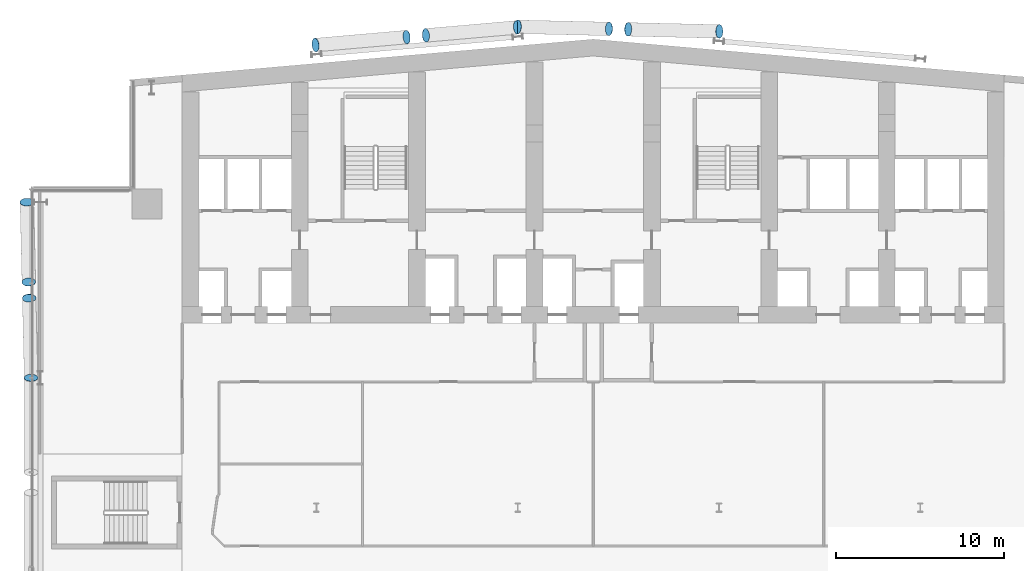
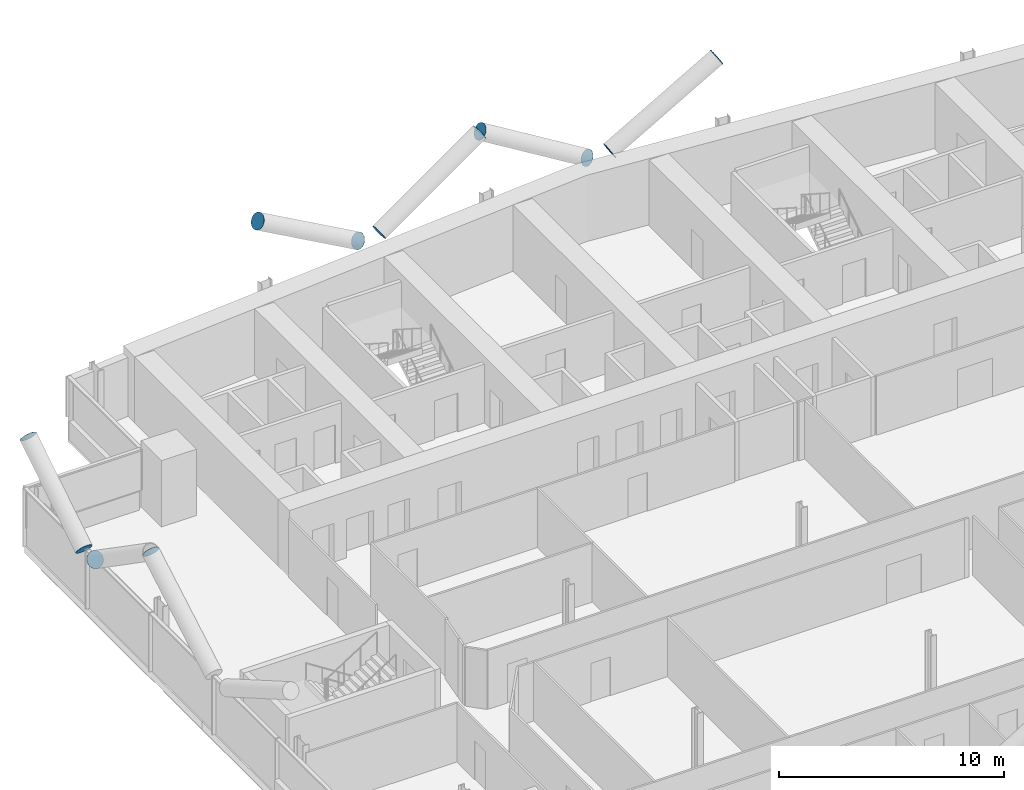
# One storey, part 23 of 28: 12 discrete accessories.
"""IFC4 building model written with IfcOpenShell, lengths in metres."""

from ifc_helpers import new_model, si_unit, direction, frame, origin, origin_2d, place, context, subcontext, project, spatial, circle, extrude, material, material_profile, profile_set, type_object, element, save


model = new_model("IFC4")

# Units and contexts
model_context = context("Model", 3, precision=1e-05, world=origin(), true_north=direction((0.0, 1.0)))
body_context = subcontext(model_context, "Body", "Model", "MODEL_VIEW")
ifc_project = project(units=[si_unit("LENGTHUNIT", "METRE"), si_unit("AREAUNIT", "SQUARE_METRE"), si_unit("VOLUMEUNIT", "CUBIC_METRE"), si_unit("PLANEANGLEUNIT", "RADIAN"), si_unit("MASSUNIT", "GRAM", prefix="KILO")], contexts=[model_context])

# Site, building, storey
site_placement = place(None, origin())
site = spatial("IfcSite", under=ifc_project, at=site_placement, CompositionType="ELEMENT")
building_placement = place(site_placement, origin())
building = spatial("IfcBuilding", under=site, at=building_placement, Name="Wharfspan Tower", CompositionType="ELEMENT")
storey_placement = place(building_placement, frame((0.0, 0.0, 132.699951)))
storey = spatial("IfcBuildingStorey", under=building, at=storey_placement, Name="L31", CompositionType="ELEMENT", Elevation=132.699951)

# Discrete accessories
ifc_material = material(Name="Steel S460NH", Category="steel")
ifc_material_profile = material_profile(ifc_material, circle(Radius=0.406494, at=origin_2d()))
ifc_profile_set = profile_set([ifc_material_profile], Name="Steel S460NH")
discrete_accessory_type = type_object("IfcDiscreteAccessoryType", Name="End plate CHS 813x40", PredefinedType="BRACKET", material=ifc_profile_set)
discrete_accessory_1_placement = place(storey_placement, frame((6.985107, 30.733398, 6.5), z_axis=(0.0, 0.857493, 0.514496), x_axis=(-1.0, 0.0, 0.0)))
element("IfcDiscreteAccessory", 1, at=discrete_accessory_1_placement, inside=storey, type_object=discrete_accessory_type, Name="End plate CHS 813x40", PredefinedType="BRACKET", context=body_context, shape_type="SweptSolid", body=[
    extrude(circle(Radius=0.406494, at=origin_2d()), origin(), (0.0, 0.0, 1.0), 0.01001),
])
discrete_accessory_2_placement = place(storey_placement, frame((6.87085, 35.494385, 3.227295), z_axis=(0.024022, -0.816732, 0.576517), x_axis=(0.99957, 0.029399, -1e-06)))
element("IfcDiscreteAccessory", 2, at=discrete_accessory_2_placement, inside=storey, type_object=discrete_accessory_type, Name="End plate CHS 813x40", PredefinedType="BRACKET", context=body_context, shape_type="SweptSolid", body=[
    extrude(circle(Radius=0.406494, at=origin_2d()), origin(), (0.0, 0.0, 1.0), 0.010254),
])
for number, where, z_axis, x_axis, name in (
    (3, (6.848145, 36.447021, 3.227295), (-0.0245, 0.808493, 0.587995), (-0.999537, -0.03029, 1e-06), "End plate CHS 813x40"),
    (4, (6.734131, 41.208008, 6.5), (-0.024354, 0.828038, 0.560143), (-0.999568, -0.029399, 0.0), "End plate CHS 813x40"),
    (5, (42.581787, 51.515137, 3.241455), (0.857236, -0.024492, 0.514341), (0.028558, 0.999591, 2e-06), "End plate CHS 813x40"),
    (6, (48.012695, 51.390381, 6.5), (0.857493, 0.0, 0.514496), (0.0, 1.0, 0.0), "End plate CHS 813x40"),
    (7, (41.443604, 51.54126, 3.241455), (-0.857236, 0.024492, 0.514341), (-0.028558, -0.999591, 2e-06), "End plate CHS 813x40"),
    (8, (36.012939, 51.665771, 6.5), (-0.857236, 0.024492, 0.514341), (-0.028558, -0.999591, 2e-06), "End plate CHS 813x40"),
    (9, (30.52124, 51.156006, 3.241943), (0.855186, 0.073302, 0.513112), (-0.085402, 0.996345, 1e-06), "End plate CHS 813x40"),
    (10, (35.95166, 51.631104, 6.5), (0.855186, 0.073302, 0.513112), (-0.085402, 0.996345, 1e-06), "End plate CHS 813x40"),
    (11, (29.381836, 51.056396, 3.241943), (-0.853405, -0.097532, 0.512043), (0.113547, -0.993531, 1e-06), "End plate CHS 813x40"),
):
    element("IfcDiscreteAccessory", number, at=place(storey_placement, frame(where, z_axis=z_axis, x_axis=x_axis)), inside=storey, type_object=discrete_accessory_type, Name=name, PredefinedType="BRACKET", context=body_context, shape_type="SweptSolid", body=[
        extrude(circle(Radius=0.406494, at=origin_2d()), origin(), (0.0, 0.0, 1.0), 0.01001),
    ])
discrete_accessory_3_placement = place(storey_placement, frame((23.95166, 50.581299, 6.5), z_axis=(-0.859828, -0.095536, 0.501566), x_axis=(0.11043, -0.99388, -1e-06)))
element("IfcDiscreteAccessory", 12, at=discrete_accessory_3_placement, inside=storey, type_object=discrete_accessory_type, Name="End plate CHS 813x40", PredefinedType="BRACKET", context=body_context, shape_type="SweptSolid", body=[
    extrude(circle(Radius=0.406494, at=origin_2d()), origin(), (0.0, 0.0, 1.0), 0.010254),
])

save(model, "model.ifc")
